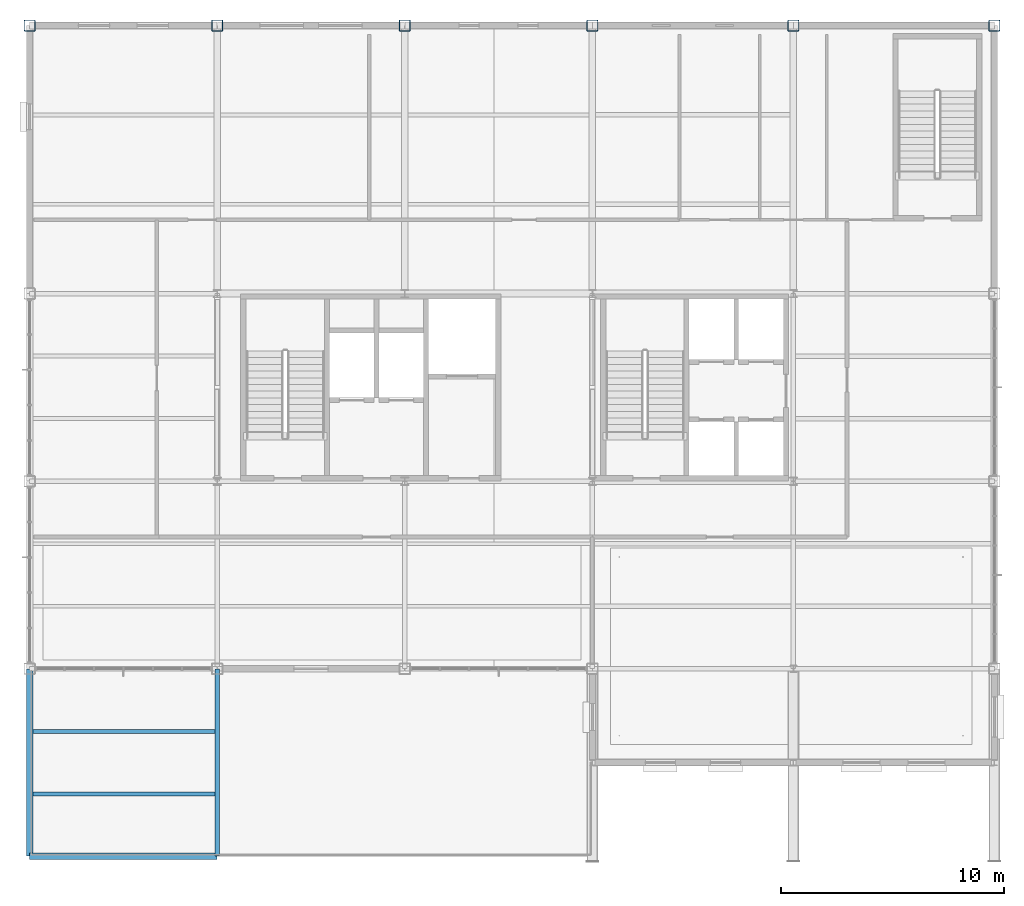
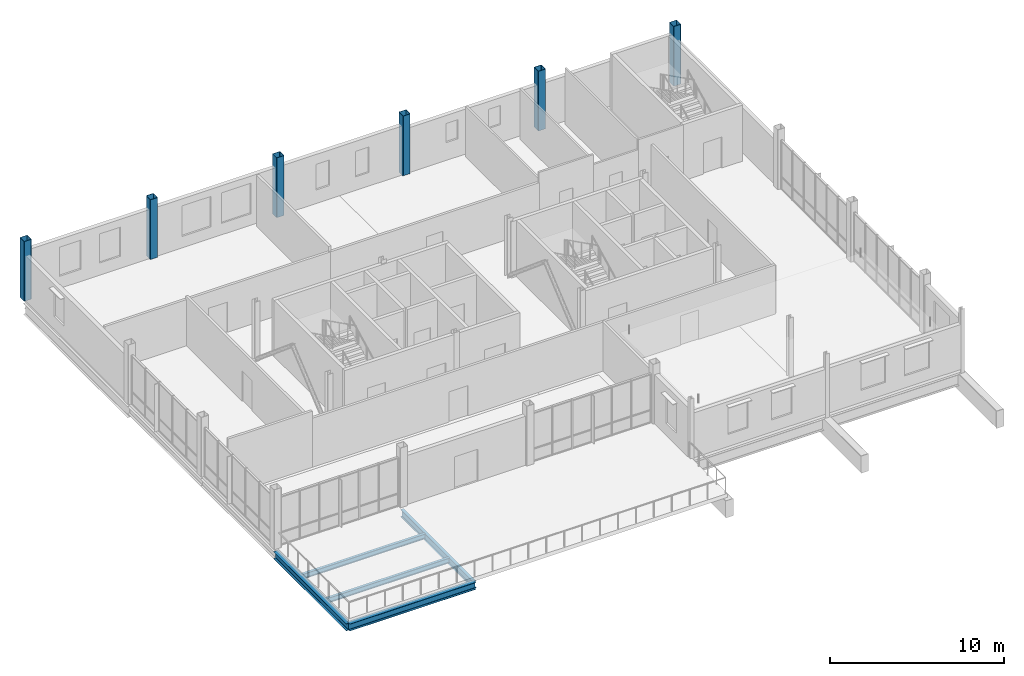
# One storey, part 3 of 22: 6 columns, 5 beams.
"""IFC4 building model written with IfcOpenShell, lengths in metres."""

from ifc_helpers import new_model, si_unit, direction, frame, origin, origin_2d, place, context, subcontext, project, spatial, hollow_rectangle, i_section, extrude, material, material_profile, profile_set, type_object, element, save


model = new_model("IFC4")

# Units and contexts
model_context = context("Model", 3, precision=1e-05, world=origin(), true_north=direction((0.0, 1.0)))
body_context = subcontext(model_context, "Body", "Model", "MODEL_VIEW")
ifc_project = project(units=[si_unit("LENGTHUNIT", "METRE"), si_unit("AREAUNIT", "SQUARE_METRE"), si_unit("VOLUMEUNIT", "CUBIC_METRE"), si_unit("PLANEANGLEUNIT", "RADIAN"), si_unit("MASSUNIT", "GRAM", prefix="KILO")], contexts=[model_context])

# Site, building, storey
site_placement = place(None, origin())
site = spatial("IfcSite", under=ifc_project, at=site_placement, CompositionType="ELEMENT")
building_placement = place(site_placement, origin())
building = spatial("IfcBuilding", under=site, at=building_placement, Name="Yukiwa Park Conservatory and Herbarium", CompositionType="ELEMENT")
storey_placement = place(building_placement, frame((0.0, 0.0, 35.39990234375)))
storey = spatial("IfcBuildingStorey", under=building, at=storey_placement, Name="L09", CompositionType="ELEMENT", Elevation=35.39990234375)

# Columns
ifc_material_1 = material(Name="Steel Q355D", Category="steel")
ifc_material_profile_1 = material_profile(ifc_material_1, hollow_rectangle(XDim=0.5, YDim=0.5, WallThickness=0.02001953125, InnerFilletRadius=0.02001953125, OuterFilletRadius=0.0400390625, at=origin_2d()), Name="BOX 500x500x20")
ifc_profile_set_1 = profile_set([ifc_material_profile_1], Name="Steel Q355D")
column_type = type_object("IfcColumnType", Name="COL-TW-BOX500-EXT", PredefinedType="COLUMN", material=ifc_profile_set_1)
for number, where, z_axis, x_axis, name in (
    (1, (124.800048828125, 115.199951171875, 0.0), (0.0, 0.0, 1.0), (1.0, 0.0, 0.0), "L09 column V5-X1248-Y1152"),
    (2, (133.199951171875, 115.199951171875, 0.0), (0.0, 0.0, 1.0), (1.0, 0.0, 0.0), "L09 column V5-X1332-Y1152"),
    (3, (141.60009765625, 115.199951171875, 0.0), (0.0, 0.0, 1.0), (1.0, 0.0, 0.0), "L09 column V5-X1416-Y1152"),
    (4, (150.0, 115.199951171875, 0.0), (0.0, 0.0, 1.0), (1.0, 0.0, 0.0), "L09 column V5-X1500-Y1152"),
    (5, (159.0, 115.199951171875, 0.0), (0.0, 0.0, 1.0), (1.0, 0.0, 0.0), "L09 column V5-X1590-Y1152"),
    (6, (168.0, 115.199951171875, 0.0), (0.0, 0.0, 1.0), (1.0, 0.0, 0.0), "L09 column V5-X1680-Y1152"),
):
    element("IfcColumn", number, at=place(storey_placement, frame(where, z_axis=z_axis, x_axis=x_axis)), inside=storey, type_object=column_type, Name=name, PredefinedType="COLUMN", context=body_context, shape_type="SweptSolid", body=[
        extrude(hollow_rectangle(XDim=0.5, YDim=0.5, WallThickness=0.02001953125, InnerFilletRadius=0.02001953125, OuterFilletRadius=0.0400390625, at=origin_2d()), origin(), (0.0, 0.0, 1.0), 4.2001953125),
    ])

# Beams
ifc_material_2 = material(Name="Steel Q355D", Category="steel")
ifc_material_profile_2 = material_profile(ifc_material_2, i_section(OverallWidth=0.199951171875, OverallDepth=0.5, WebThickness=0.010009765625, FlangeThickness=0.01611328125, FilletRadius=0.02001953125, at=origin_2d()), Name="HN 500x200x10x16")
ifc_profile_set_2 = profile_set([ifc_material_profile_2], Name="Steel Q355D")
beam_type_1 = type_object("IfcBeamType", Name="BM-GRD-HN500", PredefinedType="BEAM", material=ifc_profile_set_2)
beam_1_placement = place(storey_placement, frame((133.199951171875, 78.006103515625, -0.554931640625), z_axis=(0.0, 1.0, 0.0), x_axis=(-1.0, 0.0, 0.0)))
element("IfcBeam", 7, at=beam_1_placement, inside=storey, type_object=beam_type_1, Name="L09 grid girder Y-28", PredefinedType="BEAM", context=body_context, shape_type="SweptSolid", body=[
    extrude(i_section(OverallWidth=0.199951171875, OverallDepth=0.5, WebThickness=0.010009765625, FlangeThickness=0.01611328125, FilletRadius=0.02001953125, at=origin_2d()), origin(), (0.0, 0.0, 1.0), 8.387939453125),
])
ifc_material_3 = material(Name="Steel Q355D", Category="steel")
ifc_material_profile_3 = material_profile(ifc_material_3, i_section(OverallWidth=0.175048828125, OverallDepth=0.35009765625, WebThickness=0.007080078125, FlangeThickness=0.010986328125, FilletRadius=0.013916015625, at=origin_2d()), Name="HN 350x175x7x11")
ifc_profile_set_3 = profile_set([ifc_material_profile_3], Name="Steel Q355D")
beam_type_2 = type_object("IfcBeamType", Name="BM-JST-HN350", PredefinedType="JOIST", material=ifc_profile_set_3)
for number, where, z_axis, x_axis, name in (
    (8, (124.946044921875, 80.800048828125, -0.449951171875), (1.0, 0.0, 0.0), (0.0, 1.0, 0.0), "L09 composite floor joist 1"),
    (9, (124.946044921875, 83.60009765625, -0.449951171875), (1.0, 0.0, 0.0), (0.0, 1.0, 0.0), "L09 composite floor joist 2"),
):
    element("IfcBeam", number, at=place(storey_placement, frame(where, z_axis=z_axis, x_axis=x_axis)), inside=storey, type_object=beam_type_2, Name=name, PredefinedType="JOIST", context=body_context, shape_type="SweptSolid", body=[
        extrude(i_section(OverallWidth=0.175048828125, OverallDepth=0.35009765625, WebThickness=0.007080078125, FlangeThickness=0.010986328125, FilletRadius=0.013916015625, at=origin_2d()), origin(), (0.0, 0.0, 1.0), 8.157958984375),
    ])
ifc_material_4 = material(Name="Steel Q355D", Category="steel")
ifc_material_profile_4 = material_profile(ifc_material_4, i_section(OverallWidth=0.300048828125, OverallDepth=0.5, WebThickness=0.010986328125, FlangeThickness=0.01806640625, FilletRadius=0.02392578125, at=origin_2d()), Name="HM 500x300x11x18")
ifc_profile_set_4 = profile_set([ifc_material_profile_4], Name="Steel Q355D")
beam_type_3 = type_object("IfcBeamType", Name="BM-SPN-HN500", PredefinedType="SPANDREL", material=ifc_profile_set_4)
beam_2_placement = place(storey_placement, frame((124.805908203125, 78.0, -0.52490234375), z_axis=(1.0, 0.0, 0.0), x_axis=(0.0, 1.0, 0.0)))
element("IfcBeam", 10, at=beam_2_placement, inside=storey, type_object=beam_type_3, Name="L09 spandrel beam X-1", PredefinedType="SPANDREL", context=body_context, shape_type="SweptSolid", body=[
    extrude(i_section(OverallWidth=0.300048828125, OverallDepth=0.5, WebThickness=0.010986328125, FlangeThickness=0.01806640625, FilletRadius=0.02392578125, at=origin_2d()), origin(), (0.0, 0.0, 1.0), 8.38818359375),
])
beam_3_placement = place(storey_placement, frame((124.800048828125, 78.006103515625, -0.554931640625), z_axis=(0.0, 1.0, 0.0), x_axis=(-1.0, 0.0, 0.0)))
element("IfcBeam", 11, at=beam_3_placement, inside=storey, type_object=beam_type_3, Name="L09 spandrel girder Y-24", PredefinedType="SPANDREL", context=body_context, shape_type="SweptSolid", body=[
    extrude(i_section(OverallWidth=0.300048828125, OverallDepth=0.5, WebThickness=0.010986328125, FlangeThickness=0.01806640625, FilletRadius=0.02392578125, at=origin_2d()), origin(), (0.0, 0.0, 1.0), 8.387939453125),
])

save(model, "model.ifc")
